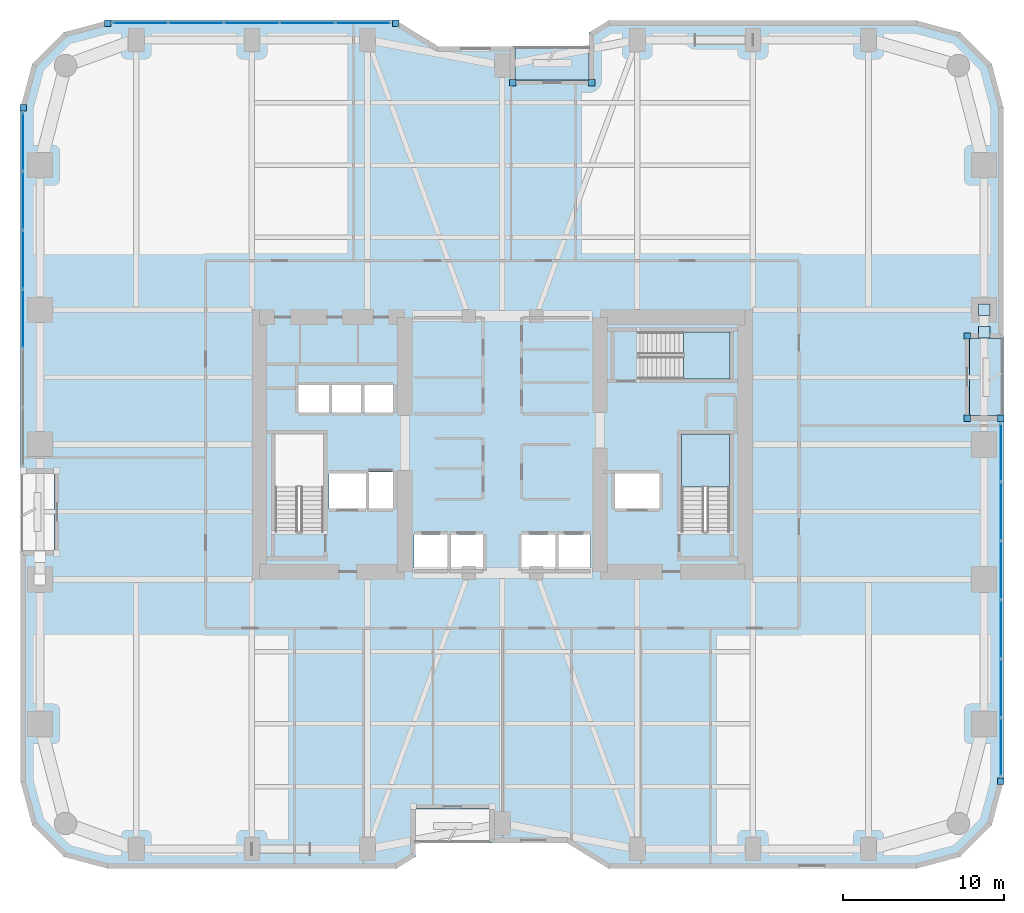
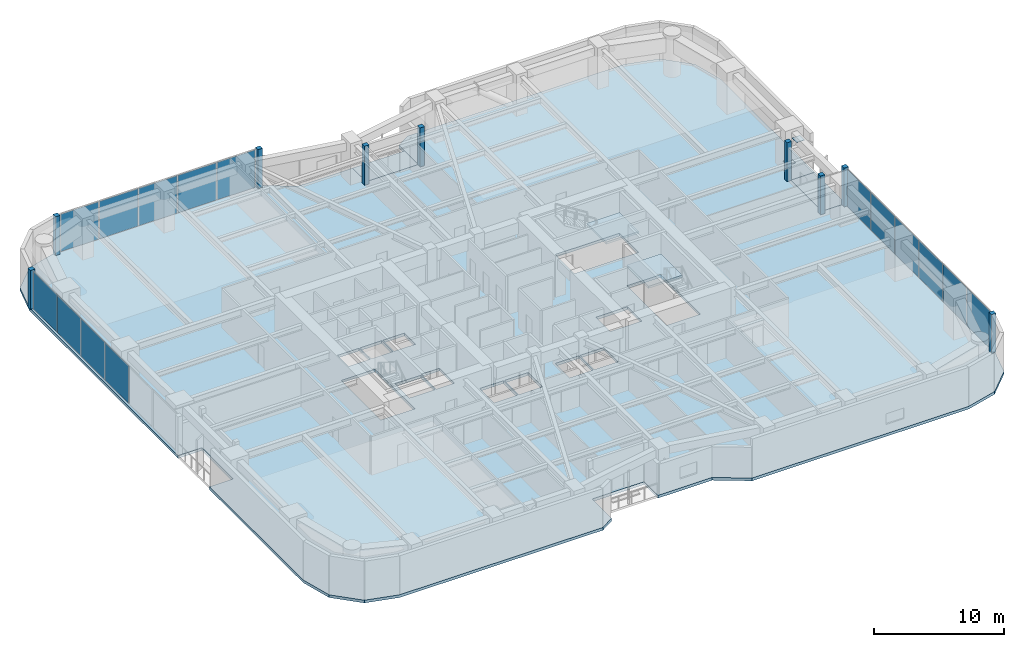
# One storey, part 20 of 28: 26 plates, 5 slabs, 5 elements without a shape of their own.
"""IFC4 building model written with IfcOpenShell, lengths in metres."""

from ifc_helpers import new_model, si_unit, direction, frame, origin, origin_2d, place, context, subcontext, project, spatial, polyline, rectangle, outline, extrude, material, layer, layer_set, type_object, element, aggregate, save


model = new_model("IFC4")

# Units and contexts
model_context = context("Model", 3, precision=1e-05, world=origin(), true_north=direction((0.0, 1.0)))
body_context = subcontext(model_context, "Body", "Model", "MODEL_VIEW")
ifc_project = project(units=[si_unit("LENGTHUNIT", "METRE"), si_unit("AREAUNIT", "SQUARE_METRE"), si_unit("VOLUMEUNIT", "CUBIC_METRE"), si_unit("PLANEANGLEUNIT", "RADIAN"), si_unit("MASSUNIT", "GRAM", prefix="KILO")], contexts=[model_context])

# Site, building, storey
site_placement = place(None, origin())
site = spatial("IfcSite", under=ifc_project, at=site_placement, CompositionType="ELEMENT")
building_placement = place(site_placement, origin())
building = spatial("IfcBuilding", under=site, at=building_placement, Name="Kiyonajd Concourse Tower", CompositionType="ELEMENT")
storey_placement = place(building_placement, frame((0.0, 0.0, 64.5)))
storey = spatial("IfcBuildingStorey", under=building, at=storey_placement, Name="L17", CompositionType="ELEMENT", Elevation=64.5)

# Plates
ifc_material_1 = material(Name="Steel ASTM A572 Grade 50", Category="steel")
ifc_layer_1 = layer(ifc_material_1, 0.028076171875)
ifc_layer_set_1 = layer_set([ifc_layer_1], Name="Steel ASTM A572 Grade 50")
plate_type_1 = type_object("IfcPlateType", Name="PL-CAP-450", PredefinedType="USERDEFINED", material=ifc_layer_set_1)
for number, where, z_axis, x_axis, name in (
    (1, (78.0, 44.40478515625, 0.27587890625), (0.0, 0.0, 1.0), (1.0, 0.0, 0.0), "L17 Hollow Brace End Cap Plate PBE"),
    (2, (78.0, 42.995361328125, 3.2861328125), (0.0, 0.0, 1.0), (1.0, 0.0, 0.0), "L17 Hollow Brace Top Cap Plate PBE"),
):
    element("IfcPlate", number, at=place(storey_placement, frame(where, z_axis=z_axis, x_axis=x_axis)), inside=storey, type_object=plate_type_1, Name=name, ObjectType="CAP PLATE", PredefinedType="USERDEFINED", context=body_context, shape_type="SweptSolid", body=[
        extrude(rectangle(XDim=0.7099609375, YDim=0.7099609375, at=origin_2d()), origin(), (0.0, 0.0, 1.0), 0.028076171875),
    ])

# Curtain wall, plates
ifc_material_2 = material(Name="Thermally Broken Anodised Aluminium", Category="aluminium")
ifc_layer_2 = layer(ifc_material_2, 0.179931640625)
ifc_layer_set_2 = layer_set([ifc_layer_2], Name="Thermally Broken Anodised Aluminium")
curtain_wall_type = type_object("IfcCurtainWallType", Name="CW-SYS-02", PredefinedType="NOTDEFINED", material=ifc_layer_set_2)
curtain_wall_1_placement = place(storey_placement, origin())
curtain_wall_1 = element("IfcCurtainWall", 3, at=curtain_wall_1_placement, inside=storey, type_object=curtain_wall_type, Name="L17 Unitised Curtain Wall CW2", PredefinedType="NOTDEFINED")
ifc_material_3 = material(Name="Double Low-E Insulated Glass", Category="glass")
ifc_layer_3 = layer(ifc_material_3, 0.028076171875)
ifc_layer_set_3 = layer_set([ifc_layer_3], Name="Double Low-E Insulated Glass")
plate_type_2 = type_object("IfcPlateType", Name="PL-CW-VIS28", PredefinedType="CURTAIN_PANEL", material=ifc_layer_set_3)
plate_1_placement = place(storey_placement, frame((18.159912109375, 43.832763671875, 0.06494140625), z_axis=(0.0, 0.0, 1.0), x_axis=(0.0, 1.0, 0.0)))
plate_1 = element("IfcPlate", 4, at=plate_1_placement, type_object=plate_type_2, Name="CW2 panel 3.1", PredefinedType="CURTAIN_PANEL", context=body_context, shape_type="SweptSolid", body=[
    extrude(rectangle(XDim=3.608154296875, YDim=0.028076171875, at=origin_2d()), origin(), (0.0, 0.0, 1.0), 3.510009765625),
])
plate_2_placement = place(storey_placement, frame((18.159912109375, 47.506103515625, 0.06494140625), z_axis=(0.0, 0.0, 1.0), x_axis=(0.0, 1.0, 0.0)))
plate_2 = element("IfcPlate", 5, at=plate_2_placement, type_object=plate_type_2, Name="CW2 panel 4.1", PredefinedType="CURTAIN_PANEL", context=body_context, shape_type="SweptSolid", body=[
    extrude(rectangle(XDim=3.608154296875, YDim=0.028076171875, at=origin_2d()), origin(), (0.0, 0.0, 1.0), 3.510009765625),
])
plate_3_placement = place(storey_placement, frame((18.159912109375, 51.17919921875, 0.06494140625), z_axis=(0.0, 0.0, 1.0), x_axis=(0.0, 1.0, 0.0)))
plate_3 = element("IfcPlate", 6, at=plate_3_placement, type_object=plate_type_2, Name="CW2 panel 5.1", PredefinedType="CURTAIN_PANEL", context=body_context, shape_type="SweptSolid", body=[
    extrude(rectangle(XDim=3.608154296875, YDim=0.028076171875, at=origin_2d()), origin(), (0.0, 0.0, 1.0), 3.510009765625),
])
plate_4_placement = place(storey_placement, frame((18.159912109375, 54.836181640625, 0.06494140625), z_axis=(0.0, 0.0, 1.0), x_axis=(0.0, 1.0, 0.0)))
plate_4 = element("IfcPlate", 7, at=plate_4_placement, type_object=plate_type_2, Name="CW2 panel 6.1", PredefinedType="CURTAIN_PANEL", context=body_context, shape_type="SweptSolid", body=[
    extrude(rectangle(XDim=3.57568359375, YDim=0.028076171875, at=origin_2d()), origin(), (0.0, 0.0, 1.0), 3.510009765625),
])
aggregate(curtain_wall_1, [plate_1, plate_2, plate_3, plate_4])

curtain_wall_2_placement = place(storey_placement, origin())
curtain_wall_2 = element("IfcCurtainWall", 8, at=curtain_wall_2_placement, inside=storey, type_object=curtain_wall_type, Name="L17 Unitised Curtain Wall CW2", PredefinedType="NOTDEFINED")
plate_5_placement = place(storey_placement, frame((25.462646484375, 62.239990234375, 0.06494140625), z_axis=(0.0, 0.0, 1.0), x_axis=(1.0, 0.0, 0.0)))
plate_5 = element("IfcPlate", 9, at=plate_5_placement, type_object=plate_type_2, Name="CW2 panel 1.1", PredefinedType="CURTAIN_PANEL", context=body_context, shape_type="SweptSolid", body=[
    extrude(rectangle(XDim=3.373291015625, YDim=0.028076171875, at=origin_2d()), origin(), (0.0, 0.0, 1.0), 3.510009765625),
])
plate_6_placement = place(storey_placement, frame((28.917236328125, 62.239990234375, 0.06494140625), z_axis=(0.0, 0.0, 1.0), x_axis=(1.0, 0.0, 0.0)))
plate_6 = element("IfcPlate", 10, at=plate_6_placement, type_object=plate_type_2, Name="CW2 panel 2.1", PredefinedType="CURTAIN_PANEL", context=body_context, shape_type="SweptSolid", body=[
    extrude(rectangle(XDim=3.40576171875, YDim=0.028076171875, at=origin_2d()), origin(), (0.0, 0.0, 1.0), 3.510009765625),
])
plate_7_placement = place(storey_placement, frame((32.387939453125, 62.239990234375, 0.06494140625), z_axis=(0.0, 0.0, 1.0), x_axis=(1.0, 0.0, 0.0)))
plate_7 = element("IfcPlate", 11, at=plate_7_placement, type_object=plate_type_2, Name="CW2 panel 3.1", PredefinedType="CURTAIN_PANEL", context=body_context, shape_type="SweptSolid", body=[
    extrude(rectangle(XDim=3.40576171875, YDim=0.028076171875, at=origin_2d()), origin(), (0.0, 0.0, 1.0), 3.510009765625),
])
plate_8_placement = place(storey_placement, frame((35.858642578125, 62.239990234375, 0.06494140625), z_axis=(0.0, 0.0, 1.0), x_axis=(1.0, 0.0, 0.0)))
plate_8 = element("IfcPlate", 12, at=plate_8_placement, type_object=plate_type_2, Name="CW2 panel 4.1", PredefinedType="CURTAIN_PANEL", context=body_context, shape_type="SweptSolid", body=[
    extrude(rectangle(XDim=3.40576171875, YDim=0.028076171875, at=origin_2d()), origin(), (0.0, 0.0, 1.0), 3.510009765625),
])
plate_9_placement = place(storey_placement, frame((39.31298828125, 62.239990234375, 0.06494140625), z_axis=(0.0, 0.0, 1.0), x_axis=(1.0, 0.0, 0.0)))
plate_9 = element("IfcPlate", 13, at=plate_9_placement, type_object=plate_type_2, Name="CW2 panel 5.1", PredefinedType="CURTAIN_PANEL", context=body_context, shape_type="SweptSolid", body=[
    extrude(rectangle(XDim=3.373291015625, YDim=0.028076171875, at=origin_2d()), origin(), (0.0, 0.0, 1.0), 3.510009765625),
])
aggregate(curtain_wall_2, [plate_5, plate_6, plate_7, plate_8, plate_9])

curtain_wall_3_placement = place(storey_placement, origin())
curtain_wall_3 = element("IfcCurtainWall", 14, at=curtain_wall_3_placement, inside=storey, type_object=curtain_wall_type, Name="L17 Unitised Curtain Wall CW2", PredefinedType="NOTDEFINED")
plate_10_placement = place(storey_placement, frame((79.0400390625, 35.4970703125, 0.06494140625), z_axis=(0.0, 0.0, 1.0), x_axis=(0.0, -1.0, 0.0)))
plate_10 = element("IfcPlate", 15, at=plate_10_placement, type_object=plate_type_2, Name="CW2 panel 1.1", PredefinedType="CURTAIN_PANEL", context=body_context, shape_type="SweptSolid", body=[
    extrude(rectangle(XDim=3.57568359375, YDim=0.028076171875, at=origin_2d()), origin(), (0.0, 0.0, 1.0), 3.510009765625),
])
plate_11_placement = place(storey_placement, frame((79.0400390625, 31.84033203125, 0.06494140625), z_axis=(0.0, 0.0, 1.0), x_axis=(0.0, -1.0, 0.0)))
plate_11 = element("IfcPlate", 16, at=plate_11_placement, type_object=plate_type_2, Name="CW2 panel 2.1", PredefinedType="CURTAIN_PANEL", context=body_context, shape_type="SweptSolid", body=[
    extrude(rectangle(XDim=3.608154296875, YDim=0.028076171875, at=origin_2d()), origin(), (0.0, 0.0, 1.0), 3.510009765625),
])
plate_12_placement = place(storey_placement, frame((79.0400390625, 28.167236328125, 0.06494140625), z_axis=(0.0, 0.0, 1.0), x_axis=(0.0, -1.0, 0.0)))
plate_12 = element("IfcPlate", 17, at=plate_12_placement, type_object=plate_type_2, Name="CW2 panel 3.1", PredefinedType="CURTAIN_PANEL", context=body_context, shape_type="SweptSolid", body=[
    extrude(rectangle(XDim=3.608154296875, YDim=0.028076171875, at=origin_2d()), origin(), (0.0, 0.0, 1.0), 3.510009765625),
])
plate_13_placement = place(storey_placement, frame((79.0400390625, 24.493896484375, 0.06494140625), z_axis=(0.0, 0.0, 1.0), x_axis=(0.0, -1.0, 0.0)))
plate_13 = element("IfcPlate", 18, at=plate_13_placement, type_object=plate_type_2, Name="CW2 panel 4.1", PredefinedType="CURTAIN_PANEL", context=body_context, shape_type="SweptSolid", body=[
    extrude(rectangle(XDim=3.608154296875, YDim=0.028076171875, at=origin_2d()), origin(), (0.0, 0.0, 1.0), 3.510009765625),
])
plate_14_placement = place(storey_placement, frame((79.0400390625, 20.82080078125, 0.06494140625), z_axis=(0.0, 0.0, 1.0), x_axis=(0.0, -1.0, 0.0)))
plate_14 = element("IfcPlate", 19, at=plate_14_placement, type_object=plate_type_2, Name="CW2 panel 5.1", PredefinedType="CURTAIN_PANEL", context=body_context, shape_type="SweptSolid", body=[
    extrude(rectangle(XDim=3.608154296875, YDim=0.028076171875, at=origin_2d()), origin(), (0.0, 0.0, 1.0), 3.510009765625),
])
plate_15_placement = place(storey_placement, frame((79.0400390625, 17.163818359375, 0.06494140625), z_axis=(0.0, 0.0, 1.0), x_axis=(0.0, -1.0, 0.0)))
plate_15 = element("IfcPlate", 20, at=plate_15_placement, type_object=plate_type_2, Name="CW2 panel 6.1", PredefinedType="CURTAIN_PANEL", context=body_context, shape_type="SweptSolid", body=[
    extrude(rectangle(XDim=3.57568359375, YDim=0.028076171875, at=origin_2d()), origin(), (0.0, 0.0, 1.0), 3.510009765625),
])
aggregate(curtain_wall_3, [plate_10, plate_11, plate_12, plate_13, plate_14, plate_15])

# Plates
ifc_layer_4 = layer(ifc_material_2, 0.39990234375)
ifc_layer_set_4 = layer_set([ifc_layer_4], Name="Thermally Broken Anodised Aluminium")
plate_type_3 = type_object("IfcPlateType", Name="PL-JMB-400", PredefinedType="USERDEFINED", material=ifc_layer_set_4)
for number, where, z_axis, x_axis, name in (
    (21, (18.159912109375, 56.97900390625, 0.0), (0.0, 0.0, 1.0), (1.0, 0.0, 0.0), "L17 Facade Jamb Closure Plate 04"),
    (22, (23.421142578125, 62.239990234375, 0.0), (0.0, 0.0, 1.0), (1.0, 0.0, 0.0), "L17 Facade Jamb Closure Plate 05"),
    (23, (41.354736328125, 62.239990234375, 0.0), (0.0, 0.0, 1.0), (1.0, 0.0, 0.0), "L17 Facade Jamb Closure Plate 06"),
    (24, (48.639892578125, 58.5400390625, 0.0), (0.0, 0.0, 1.0), (1.0, 0.0, 0.0), "L17 Facade Jamb Closure Plate 07"),
    (25, (53.56005859375, 58.5400390625, 0.0), (0.0, 0.0, 1.0), (1.0, 0.0, 0.0), "L17 Facade Jamb Closure Plate 08"),
    (26, (76.93994140625, 42.760009765625, 0.0), (0.0, 0.0, 1.0), (1.0, 0.0, 0.0), "L17 Facade Jamb Closure Plate 09"),
    (27, (76.93994140625, 37.639892578125, 0.0), (0.0, 0.0, 1.0), (1.0, 0.0, 0.0), "L17 Facade Jamb Closure Plate 10"),
    (28, (79.0400390625, 37.639892578125, 0.0), (0.0, 0.0, 1.0), (1.0, 0.0, 0.0), "L17 Facade Jamb Closure Plate 11"),
    (29, (79.0400390625, 15.02099609375, 0.0), (0.0, 0.0, 1.0), (1.0, 0.0, 0.0), "L17 Facade Jamb Closure Plate 12"),
):
    element("IfcPlate", number, at=place(storey_placement, frame(where, z_axis=z_axis, x_axis=x_axis)), inside=storey, type_object=plate_type_3, Name=name, ObjectType="JAMB PLATE", PredefinedType="USERDEFINED", context=body_context, shape_type="SweptSolid", body=[
        extrude(rectangle(XDim=0.39990234375, YDim=0.39990234375, at=origin_2d()), origin(), (0.0, 0.0, 1.0), 3.639892578125),
    ])

# Stair, slab
ifc_material_4 = material(Name="Concrete C40/50", Category="concrete")
stair_type = type_object("IfcStairType", Name="ST-DLG-22R", PredefinedType="HALF_TURN_STAIR", material=ifc_material_4)
stair_1_placement = place(storey_placement, origin())
stair_1 = element("IfcStair", 30, at=stair_1_placement, inside=storey, type_object=stair_type, Name="L17 Protected Exit Stair ST2", PredefinedType="HALF_TURN_STAIR")
ifc_layer_5 = layer(ifc_material_4, 0.199951171875)
ifc_layer_set_5 = layer_set([ifc_layer_5], Name="Concrete C40/50")
slab_type_1 = type_object("IfcSlabType", Name="SL-LND-200", PredefinedType="LANDING", material=ifc_layer_set_5)
slab_1_placement = place(storey_placement, frame((0.0, 0.0, 1.75)))
slab_1 = element("IfcSlab", 31, at=slab_1_placement, type_object=slab_type_1, Name="ST2 landing 1", PredefinedType="LANDING", context=body_context, shape_type="SweptSolid", body=[
    extrude(outline(polyline([(62.14990234375, 33.35009765625), (62.14990234375, 36.64990234375), (59.14990234375, 36.64990234375), (59.14990234375, 33.35009765625), (62.14990234375, 33.35009765625)])), origin(), (0.0, 0.0, 1.0), 0.199951171875),
])
aggregate(stair_1, [slab_1])

stair_2_placement = place(storey_placement, origin())
stair_2 = element("IfcStair", 32, at=stair_2_placement, inside=storey, type_object=stair_type, Name="L17 Protected Exit Stair ST3", PredefinedType="HALF_TURN_STAIR")
slab_2_placement = place(storey_placement, frame((0.0, 0.0, 1.75)))
slab_2 = element("IfcSlab", 33, at=slab_2_placement, type_object=slab_type_1, Name="ST3 landing 1", PredefinedType="LANDING", context=body_context, shape_type="SweptSolid", body=[
    extrude(outline(polyline([(59.280029296875, 40.080078125), (62.179931640625, 40.080078125), (62.179931640625, 43.02001953125), (59.280029296875, 43.02001953125), (59.280029296875, 40.080078125)])), origin(), (0.0, 0.0, 1.0), 0.199951171875),
])
aggregate(stair_2, [slab_2])

# Slabs
ifc_material_5 = material(Name="Precast concrete C50/60", Category="concrete")
ifc_layer_6 = layer(ifc_material_5, 0.199951171875)
ifc_layer_set_6 = layer_set([ifc_layer_6], Name="Precast concrete C50/60")
slab_type_2 = type_object("IfcSlabType", Name="SL-LOG-200", PredefinedType="FLOOR", material=ifc_layer_set_6)
slab_3_placement = place(storey_placement, frame((0.0, 0.0, -0.199951171875)))
element("IfcSlab", 34, at=slab_3_placement, inside=storey, type_object=slab_type_2, Name="L17 Recessed Engawa Loggia Terrace Slab LOG-N", PredefinedType="FLOOR", context=body_context, shape_type="SweptSolid", body=[
    extrude(outline(polyline([(48.800048828125, 58.699951171875), (53.39990234375, 58.699951171875), (53.39990234375, 60.800048828125), (48.800048828125, 60.800048828125), (48.800048828125, 58.699951171875)])), origin(), (0.0, 0.0, 1.0), 0.199951171875),
])
slab_4_placement = place(storey_placement, frame((0.0, 0.0, -0.199951171875)))
element("IfcSlab", 35, at=slab_4_placement, inside=storey, type_object=slab_type_2, Name="L17 Recessed Engawa Loggia Terrace Slab LOG-E", PredefinedType="FLOOR", context=body_context, shape_type="SweptSolid", body=[
    extrude(outline(polyline([(77.10009765625, 37.800048828125), (79.199951171875, 37.800048828125), (79.199951171875, 42.60009765625), (77.10009765625, 42.60009765625), (77.10009765625, 37.800048828125)])), origin(), (0.0, 0.0, 1.0), 0.199951171875),
])
ifc_layer_7 = layer(ifc_material_4, 0.260009765625)
ifc_layer_set_7 = layer_set([ifc_layer_7], Name="Concrete C40/50")
slab_type_3 = type_object("IfcSlabType", Name="SL-TWR-260", PredefinedType="FLOOR", material=ifc_layer_set_7)
slab_5_placement = place(storey_placement, frame((0.0, 0.0, -0.260009765625)))
element("IfcSlab", 36, at=slab_5_placement, inside=storey, type_object=slab_type_3, Name="L17 Tower Conditioned Floor Slab", PredefinedType="FLOOR", context=body_context, shape_type="SweptSolid", body=[
    extrude(outline(polyline([(18.722900390625, 12.300048828125), (18.0, 15.0), (18.0, 29.39990234375), (20.10009765625, 29.39990234375), (20.10009765625, 34.199951171875), (18.0, 34.199951171875), (18.0, 57.0), (18.722900390625, 59.699951171875), (20.699951171875, 61.677001953125), (23.39990234375, 62.39990234375), (41.39990234375, 62.39990234375), (44.0, 60.800048828125), (48.800048828125, 60.800048828125), (48.800048828125, 58.699951171875), (53.39990234375, 58.699951171875), (53.39990234375, 61.662109375), (54.60009765625, 62.39990234375), (73.800048828125, 62.39990234375), (76.5, 61.677001953125), (78.47705078125, 59.699951171875), (79.199951171875, 57.0), (79.199951171875, 42.60009765625), (77.10009765625, 42.60009765625), (77.10009765625, 37.800048828125), (79.199951171875, 37.800048828125), (79.199951171875, 15.0), (78.47705078125, 12.300048828125), (76.5, 10.322998046875), (73.800048828125, 9.60009765625), (54.60009765625, 9.60009765625), (52.0, 11.199951171875), (47.199951171875, 11.199951171875), (47.199951171875, 13.300048828125), (42.60009765625, 13.300048828125), (42.60009765625, 10.337890625), (41.39990234375, 9.60009765625), (23.39990234375, 9.60009765625), (20.699951171875, 10.322998046875), (18.722900390625, 12.300048828125)]), holes=[polyline([(44.60009765625, 28.199951171875), (42.5, 28.199951171875), (42.5, 30.39990234375), (44.60009765625, 30.39990234375), (44.60009765625, 28.199951171875)]), polyline([(37.199951171875, 32.0), (37.199951171875, 34.199951171875), (39.5, 34.199951171875), (39.5, 32.0), (37.199951171875, 32.0)]), polyline([(39.60009765625, 32.0), (39.60009765625, 34.300048828125), (41.199951171875, 34.300048828125), (41.199951171875, 32.0), (39.60009765625, 32.0)]), polyline([(36.85009765625, 30.550048828125), (33.85009765625, 30.550048828125), (33.85009765625, 36.64990234375), (36.85009765625, 36.64990234375), (36.85009765625, 30.550048828125)]), polyline([(35.300048828125, 38.0), (35.300048828125, 39.699951171875), (37.199951171875, 39.699951171875), (37.199951171875, 38.0), (35.300048828125, 38.0)]), polyline([(37.300048828125, 38.0), (37.300048828125, 39.699951171875), (39.199951171875, 39.699951171875), (39.199951171875, 38.0), (37.300048828125, 38.0)]), polyline([(41.199951171875, 38.0), (39.300048828125, 38.0), (39.300048828125, 39.699951171875), (41.199951171875, 39.699951171875), (41.199951171875, 38.0)]), polyline([(44.699951171875, 28.199951171875), (44.699951171875, 30.39990234375), (46.800048828125, 30.39990234375), (46.800048828125, 28.199951171875), (44.699951171875, 28.199951171875)]), polyline([(49.199951171875, 28.199951171875), (49.199951171875, 30.39990234375), (51.300048828125, 30.39990234375), (51.300048828125, 28.199951171875), (49.199951171875, 28.199951171875)]), polyline([(51.39990234375, 28.199951171875), (51.39990234375, 30.39990234375), (53.5, 30.39990234375), (53.5, 28.199951171875), (51.39990234375, 28.199951171875)]), polyline([(55.0, 32.0), (55.0, 34.199951171875), (57.800048828125, 34.199951171875), (57.800048828125, 32.0), (55.0, 32.0)]), polyline([(59.14990234375, 30.550048828125), (59.14990234375, 36.64990234375), (62.14990234375, 36.64990234375), (62.14990234375, 30.550048828125), (59.14990234375, 30.550048828125)]), polyline([(56.47998046875, 43.02001953125), (62.179931640625, 43.02001953125), (62.179931640625, 40.080078125), (56.47998046875, 40.080078125), (56.47998046875, 43.02001953125)])]), origin(), (0.0, 0.0, 1.0), 0.260009765625),
])

save(model, "model.ifc")
